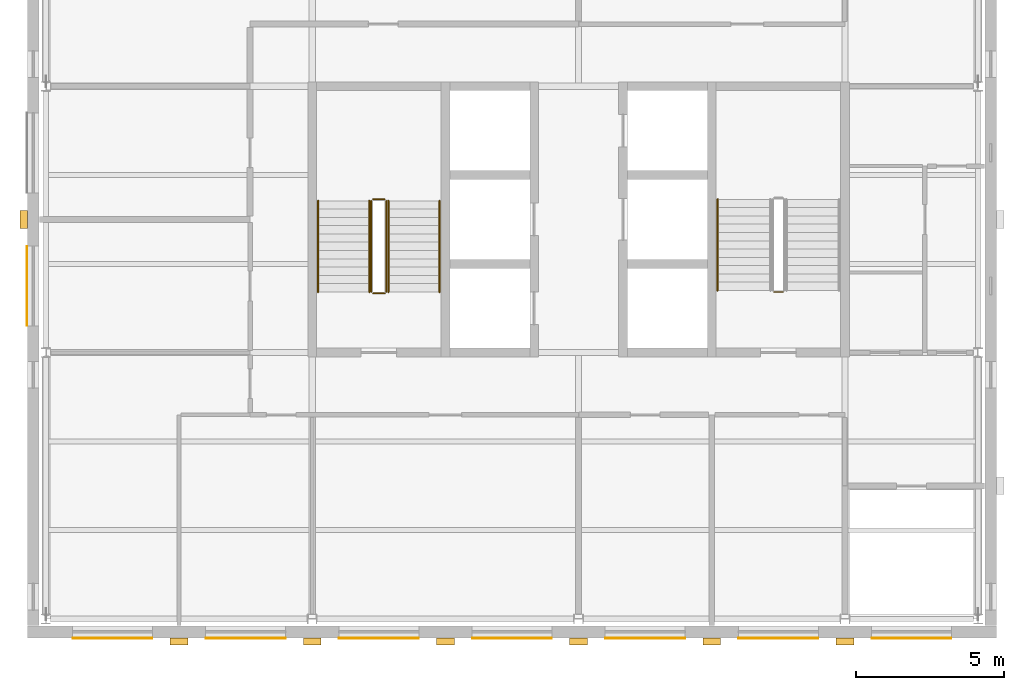
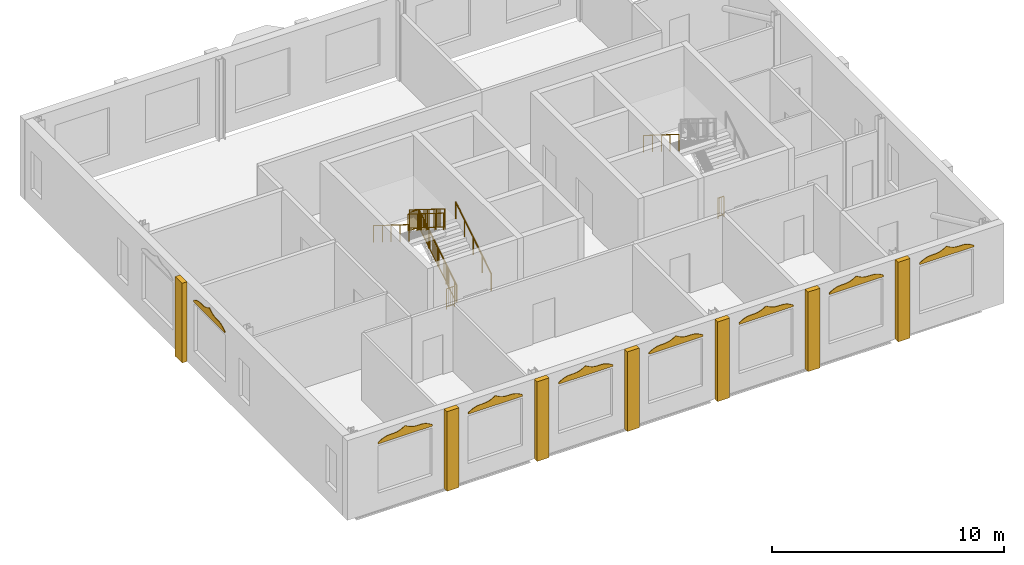
# One storey, part 8 of 9: 15 coverings, 10 railings.
"""IFC4 building model written with IfcOpenShell, lengths in metres."""

from ifc_helpers import new_model, si_unit, direction, frame, origin, origin_2d, place, context, subcontext, project, spatial, polyline, rectangle, circle, outline, extrude, material, layer, layer_set, type_object, element, save


model = new_model("IFC4")

# Units and contexts
model_context = context("Model", 3, precision=1e-05, world=origin(), true_north=direction((0.0, 1.0)))
body_context = subcontext(model_context, "Body", "Model", "MODEL_VIEW")
ifc_project = project(units=[si_unit("LENGTHUNIT", "METRE"), si_unit("AREAUNIT", "SQUARE_METRE"), si_unit("VOLUMEUNIT", "CUBIC_METRE"), si_unit("PLANEANGLEUNIT", "RADIAN"), si_unit("MASSUNIT", "GRAM", prefix="KILO")], contexts=[model_context])

# Site, building, storey
site_placement = place(None, origin())
site = spatial("IfcSite", under=ifc_project, at=site_placement, CompositionType="ELEMENT")
building_placement = place(site_placement, origin())
building = spatial("IfcBuilding", under=site, at=building_placement, Name="Hortulan Conservatory and Botanical Research Centre", CompositionType="ELEMENT")
storey_placement = place(building_placement, frame((0.0, 0.0, 44.39990234375)))
storey = spatial("IfcBuildingStorey", under=building, at=storey_placement, Name="L10", CompositionType="ELEMENT", Elevation=44.39990234375)

# Coverings
ifc_material_1 = material(Name="Faience cladding, cream glaze (non-combustible)", Category="ceramic")
ifc_layer_1 = layer(ifc_material_1, 0.030029296875)
ifc_layer_set_1 = layer_set([ifc_layer_1], Name="Faience Ogee Head Panel Cream 2700x500")
covering_type_1 = type_object("IfcCoveringType", Name="Faience Ogee Head Panel Cream 2700x500", PredefinedType="CLADDING", material=ifc_layer_set_1)
for number, where, z_axis, x_axis, name in (
    (1, (3.60009765625, -0.65087890625, 3.52001953125), (0.0, 0.0, 1.0), (-1.0, 0.0, 0.0), "Ogee head panel"),
    (2, (26.10009765625, -0.65087890625, 3.52001953125), (0.0, 0.0, 1.0), (-1.0, 0.0, 0.0), "Ogee head panel"),
    (3, (30.60009765625, -0.65087890625, 3.52001953125), (0.0, 0.0, 1.0), (-1.0, 0.0, 0.0), "Ogee head panel"),
):
    element("IfcCovering", number, at=place(storey_placement, frame(where, z_axis=z_axis, x_axis=x_axis)), inside=storey, type_object=covering_type_1, Name=name, PredefinedType="CLADDING", context=body_context, shape_type="SweptSolid", body=[
        extrude(outline(polyline([(0.0, 0.0), (2.699951171875, 0.0), (2.699951171875, 0.080078125), (2.58740234375, 0.148681640625), (2.47509765625, 0.208251953125), (2.362548828125, 0.252197265625), (2.25, 0.2783203125), (2.137451171875, 0.28857421875), (2.02490234375, 0.2900390625), (1.91259765625, 0.29150390625), (1.800048828125, 0.3017578125), (1.6875, 0.327880859375), (1.574951171875, 0.371826171875), (1.46240234375, 0.431396484375), (1.35009765625, 0.5), (1.237548828125, 0.431396484375), (1.125, 0.371826171875), (1.012451171875, 0.327880859375), (0.89990234375, 0.3017578125), (0.78759765625, 0.29150390625), (0.675048828125, 0.2900390625), (0.5625, 0.28857421875), (0.449951171875, 0.2783203125), (0.33740234375, 0.252197265625), (0.22509765625, 0.208251953125), (0.112548828125, 0.148681640625), (0.0, 0.080078125), (0.0, 0.0)])), frame((0.0, 0.01513671875, 0.0), z_axis=(0.0, -1.0, 0.0), x_axis=(1.0, 0.0, 0.0)), (0.0, 0.0, 1.0), 0.030029296875),
    ])
ifc_material_2 = material(Name="Faience cladding, waratah crimson glaze (non-combustible)", Category="ceramic")
ifc_layer_2 = layer(ifc_material_2, 0.030029296875)
ifc_layer_set_2 = layer_set([ifc_layer_2], Name="Faience Ogee Head Panel Crimson 2700x500")
covering_type_2 = type_object("IfcCoveringType", Name="Faience Ogee Head Panel Crimson 2700x500", PredefinedType="CLADDING", material=ifc_layer_set_2)
for number, where, z_axis, x_axis, name in (
    (4, (8.10009765625, -0.65087890625, 3.52001953125), (0.0, 0.0, 1.0), (-1.0, 0.0, 0.0), "Ogee head panel"),
    (5, (12.60009765625, -0.65087890625, 3.52001953125), (0.0, 0.0, 1.0), (-1.0, 0.0, 0.0), "Ogee head panel"),
    (6, (-0.639892578125, 9.89990234375, 3.52001953125), (0.0, 0.0, 1.0), (0.0, 1.0, 0.0), "Ogee head panel"),
):
    element("IfcCovering", number, at=place(storey_placement, frame(where, z_axis=z_axis, x_axis=x_axis)), inside=storey, type_object=covering_type_2, Name=name, PredefinedType="CLADDING", context=body_context, shape_type="SweptSolid", body=[
        extrude(outline(polyline([(0.0, 0.0), (2.699951171875, 0.0), (2.699951171875, 0.080078125), (2.58740234375, 0.148681640625), (2.47509765625, 0.208251953125), (2.362548828125, 0.252197265625), (2.25, 0.2783203125), (2.137451171875, 0.28857421875), (2.02490234375, 0.2900390625), (1.91259765625, 0.29150390625), (1.800048828125, 0.3017578125), (1.6875, 0.327880859375), (1.574951171875, 0.371826171875), (1.46240234375, 0.431396484375), (1.35009765625, 0.5), (1.237548828125, 0.431396484375), (1.125, 0.371826171875), (1.012451171875, 0.327880859375), (0.89990234375, 0.3017578125), (0.78759765625, 0.29150390625), (0.675048828125, 0.2900390625), (0.5625, 0.28857421875), (0.449951171875, 0.2783203125), (0.33740234375, 0.252197265625), (0.22509765625, 0.208251953125), (0.112548828125, 0.148681640625), (0.0, 0.080078125), (0.0, 0.0)])), frame((0.0, 0.01513671875, 0.0), z_axis=(0.0, -1.0, 0.0), x_axis=(1.0, 0.0, 0.0)), (0.0, 0.0, 1.0), 0.030029296875),
    ])
ifc_material_3 = material(Name="Faience cladding, harbour teal glaze (non-combustible)", Category="ceramic")
ifc_layer_3 = layer(ifc_material_3, 0.030029296875)
ifc_layer_set_3 = layer_set([ifc_layer_3], Name="Faience Ogee Head Panel Teal 2700x500")
covering_type_3 = type_object("IfcCoveringType", Name="Faience Ogee Head Panel Teal 2700x500", PredefinedType="CLADDING", material=ifc_layer_set_3)
for number, where, z_axis, x_axis, name in (
    (7, (17.10009765625, -0.65087890625, 3.52001953125), (0.0, 0.0, 1.0), (-1.0, 0.0, 0.0), "Ogee head panel"),
    (8, (21.60009765625, -0.65087890625, 3.52001953125), (0.0, 0.0, 1.0), (-1.0, 0.0, 0.0), "Ogee head panel"),
):
    element("IfcCovering", number, at=place(storey_placement, frame(where, z_axis=z_axis, x_axis=x_axis)), inside=storey, type_object=covering_type_3, Name=name, PredefinedType="CLADDING", context=body_context, shape_type="SweptSolid", body=[
        extrude(outline(polyline([(0.0, 0.0), (2.699951171875, 0.0), (2.699951171875, 0.080078125), (2.58740234375, 0.148681640625), (2.47509765625, 0.208251953125), (2.362548828125, 0.252197265625), (2.25, 0.2783203125), (2.137451171875, 0.28857421875), (2.02490234375, 0.2900390625), (1.91259765625, 0.29150390625), (1.800048828125, 0.3017578125), (1.6875, 0.327880859375), (1.574951171875, 0.371826171875), (1.46240234375, 0.431396484375), (1.35009765625, 0.5), (1.237548828125, 0.431396484375), (1.125, 0.371826171875), (1.012451171875, 0.327880859375), (0.89990234375, 0.3017578125), (0.78759765625, 0.29150390625), (0.675048828125, 0.2900390625), (0.5625, 0.28857421875), (0.449951171875, 0.2783203125), (0.33740234375, 0.252197265625), (0.22509765625, 0.208251953125), (0.112548828125, 0.148681640625), (0.0, 0.080078125), (0.0, 0.0)])), frame((0.0, 0.01513671875, 0.0), z_axis=(0.0, -1.0, 0.0), x_axis=(1.0, 0.0, 0.0)), (0.0, 0.0, 1.0), 0.030029296875),
    ])
ifc_layer_4 = layer(ifc_material_1, 0.25)
ifc_layer_set_4 = layer_set([ifc_layer_4], Name="Faience Pilaster 600x250")
covering_type_4 = type_object("IfcCoveringType", Name="Faience Pilaster 600x250", PredefinedType="CLADDING", material=ifc_layer_set_4)
for number, where, z_axis, x_axis, name in (
    (9, (27.0, -0.760986328125, 0.0), (0.0, 0.0, 1.0), (-1.0, 0.0, 0.0), "Pier"),
    (10, (22.5, -0.760986328125, 0.0), (0.0, 0.0, 1.0), (-1.0, 0.0, 0.0), "Pier"),
    (11, (18.0, -0.760986328125, 0.0), (0.0, 0.0, 1.0), (-1.0, 0.0, 0.0), "Pier"),
    (12, (13.5, -0.760986328125, 0.0), (0.0, 0.0, 1.0), (-1.0, 0.0, 0.0), "Pier"),
    (13, (9.0, -0.760986328125, 0.0), (0.0, 0.0, 1.0), (-1.0, 0.0, 0.0), "Pier"),
    (14, (4.5, -0.760986328125, 0.0), (0.0, 0.0, 1.0), (-1.0, 0.0, 0.0), "Pier"),
    (15, (-0.75, 13.5, 0.0), (0.0, 0.0, 1.0), (0.0, 1.0, 0.0), "Pier"),
):
    element("IfcCovering", number, at=place(storey_placement, frame(where, z_axis=z_axis, x_axis=x_axis)), inside=storey, type_object=covering_type_4, Name=name, PredefinedType="CLADDING", context=body_context, shape_type="SweptSolid", body=[
        extrude(rectangle(XDim=0.60009765625, YDim=0.25, at=origin_2d()), origin(), (0.0, 0.0, 1.0), 4.199951171875),
    ])

# Railings
ifc_material_4 = material(Name="Steel balustrade, bronze-charcoal paint", Category="steel")
railing_type_1 = type_object("IfcRailingType", Name="Stair Guard 1100", PredefinedType="GUARDRAIL", material=ifc_material_4)
railing_1_placement = place(storey_placement, frame((11.5, 11.050048828125, 0.175048828125)))
element("IfcRailing", 16, at=railing_1_placement, inside=storey, type_object=railing_type_1, Name="Guard T1 L10 stair 1", PredefinedType="GUARDRAIL", context=body_context, shape_type="SweptSolid", body=[
    extrude(circle(Radius=0.02392578125, at=origin_2d()), frame((0.0, 0.0, 1.076171875), z_axis=(0.0, 0.847979421464, 0.530029150871), x_axis=(-1.0, 0.0, 0.0)), (0.0, 0.0, 1.0), 3.632080078125),
    extrude(circle(Radius=0.02392578125, at=origin_2d()), frame((0.0, 0.0, 0.1240234375), z_axis=(0.0, 0.847979421464, 0.530029150871), x_axis=(-1.0, 0.0, 0.0)), (0.0, 0.0, 1.0), 3.632080078125),
    extrude(circle(Radius=0.008056640625, at=origin_2d()), frame((0.0, 0.090576171875, 0.204833984375)), (0.0, 0.0, 1.0), 0.90380859375),
    extrude(circle(Radius=0.008056640625, at=origin_2d()), frame((0.0, 0.18115234375, 0.261474609375)), (0.0, 0.0, 1.0), 0.90380859375),
    extrude(circle(Radius=0.008056640625, at=origin_2d()), frame((0.0, 0.271728515625, 0.318115234375)), (0.0, 0.0, 1.0), 0.90380859375),
    extrude(circle(Radius=0.008056640625, at=origin_2d()), frame((0.0, 0.3623046875, 0.374755859375)), (0.0, 0.0, 1.0), 0.90380859375),
    extrude(circle(Radius=0.008056640625, at=origin_2d()), frame((0.0, 0.452880859375, 0.431396484375)), (0.0, 0.0, 1.0), 0.90380859375),
    extrude(circle(Radius=0.008056640625, at=origin_2d()), frame((0.0, 0.54345703125, 0.48779296875)), (0.0, 0.0, 1.0), 0.90380859375),
    extrude(circle(Radius=0.008056640625, at=origin_2d()), frame((0.0, 0.634033203125, 0.54443359375)), (0.0, 0.0, 1.0), 0.90380859375),
    extrude(circle(Radius=0.008056640625, at=origin_2d()), frame((0.0, 0.724609375, 0.60107421875)), (0.0, 0.0, 1.0), 0.90380859375),
    extrude(circle(Radius=0.008056640625, at=origin_2d()), frame((0.0, 0.815185546875, 0.65771484375)), (0.0, 0.0, 1.0), 0.90380859375),
    extrude(circle(Radius=0.008056640625, at=origin_2d()), frame((0.0, 0.90576171875, 0.71435546875)), (0.0, 0.0, 1.0), 0.90380859375),
    extrude(circle(Radius=0.008056640625, at=origin_2d()), frame((0.0, 0.996337890625, 0.77099609375)), (0.0, 0.0, 1.0), 0.90380859375),
    extrude(circle(Radius=0.008056640625, at=origin_2d()), frame((0.0, 1.0869140625, 0.82763671875)), (0.0, 0.0, 1.0), 0.90380859375),
    extrude(circle(Radius=0.008056640625, at=origin_2d()), frame((0.0, 1.177490234375, 0.88427734375)), (0.0, 0.0, 1.0), 0.90380859375),
    extrude(circle(Radius=0.008056640625, at=origin_2d()), frame((0.0, 1.26806640625, 0.94091796875)), (0.0, 0.0, 1.0), 0.90380859375),
    extrude(circle(Radius=0.008056640625, at=origin_2d()), frame((0.0, 1.358642578125, 0.99755859375)), (0.0, 0.0, 1.0), 0.90380859375),
    extrude(circle(Radius=0.008056640625, at=origin_2d()), frame((0.0, 1.44921875, 1.05419921875)), (0.0, 0.0, 1.0), 0.90380859375),
    extrude(circle(Radius=0.008056640625, at=origin_2d()), frame((0.0, 1.5400390625, 1.11083984375)), (0.0, 0.0, 1.0), 0.90380859375),
    extrude(circle(Radius=0.008056640625, at=origin_2d()), frame((0.0, 1.630615234375, 1.167236328125)), (0.0, 0.0, 1.0), 0.90380859375),
    extrude(circle(Radius=0.008056640625, at=origin_2d()), frame((0.0, 1.72119140625, 1.223876953125)), (0.0, 0.0, 1.0), 0.90380859375),
    extrude(circle(Radius=0.008056640625, at=origin_2d()), frame((0.0, 1.811767578125, 1.280517578125)), (0.0, 0.0, 1.0), 0.90380859375),
    extrude(circle(Radius=0.008056640625, at=origin_2d()), frame((0.0, 1.90234375, 1.337158203125)), (0.0, 0.0, 1.0), 0.90380859375),
    extrude(circle(Radius=0.008056640625, at=origin_2d()), frame((0.0, 1.992919921875, 1.393798828125)), (0.0, 0.0, 1.0), 0.90380859375),
    extrude(circle(Radius=0.008056640625, at=origin_2d()), frame((0.0, 2.08349609375, 1.450439453125)), (0.0, 0.0, 1.0), 0.90380859375),
    extrude(circle(Radius=0.008056640625, at=origin_2d()), frame((0.0, 2.174072265625, 1.507080078125)), (0.0, 0.0, 1.0), 0.90380859375),
    extrude(circle(Radius=0.008056640625, at=origin_2d()), frame((0.0, 2.2646484375, 1.563720703125)), (0.0, 0.0, 1.0), 0.90380859375),
    extrude(circle(Radius=0.008056640625, at=origin_2d()), frame((0.0, 2.355224609375, 1.620361328125)), (0.0, 0.0, 1.0), 0.90380859375),
    extrude(circle(Radius=0.008056640625, at=origin_2d()), frame((0.0, 2.44580078125, 1.677001953125)), (0.0, 0.0, 1.0), 0.90380859375),
    extrude(circle(Radius=0.008056640625, at=origin_2d()), frame((0.0, 2.536376953125, 1.733642578125)), (0.0, 0.0, 1.0), 0.90380859375),
    extrude(circle(Radius=0.008056640625, at=origin_2d()), frame((0.0, 2.626953125, 1.7900390625)), (0.0, 0.0, 1.0), 0.90380859375),
    extrude(circle(Radius=0.008056640625, at=origin_2d()), frame((0.0, 2.717529296875, 1.8466796875)), (0.0, 0.0, 1.0), 0.90380859375),
    extrude(circle(Radius=0.008056640625, at=origin_2d()), frame((0.0, 2.80810546875, 1.9033203125)), (0.0, 0.0, 1.0), 0.90380859375),
    extrude(circle(Radius=0.008056640625, at=origin_2d()), frame((0.0, 2.898681640625, 1.9599609375)), (0.0, 0.0, 1.0), 0.90380859375),
    extrude(circle(Radius=0.008056640625, at=origin_2d()), frame((0.0, 2.9892578125, 2.0166015625)), (0.0, 0.0, 1.0), 0.90380859375),
    extrude(circle(Radius=0.02099609375, at=origin_2d()), origin(), (0.0, 0.0, 1.0), 1.052001953125),
    extrude(circle(Radius=0.02099609375, at=origin_2d()), frame((0.0, 0.77001953125, 0.481201171875)), (0.0, 0.0, 1.0), 1.052001953125),
    extrude(circle(Radius=0.02099609375, at=origin_2d()), frame((0.0, 1.5400390625, 0.96240234375)), (0.0, 0.0, 1.0), 1.052001953125),
    extrude(circle(Radius=0.02099609375, at=origin_2d()), frame((0.0, 2.309814453125, 1.44384765625)), (0.0, 0.0, 1.0), 1.052001953125),
    extrude(circle(Radius=0.02099609375, at=origin_2d()), frame((0.0, 3.079833984375, 1.925048828125)), (0.0, 0.0, 1.0), 1.052001953125),
])
railing_2_placement = place(storey_placement, frame((11.449951171875, 14.179931640625, 2.10009765625)))
element("IfcRailing", 17, at=railing_2_placement, inside=storey, type_object=railing_type_1, Name="Guard T1 L10 stair 2", PredefinedType="GUARDRAIL", context=body_context, shape_type="SweptSolid", body=[
    extrude(circle(Radius=0.02392578125, at=origin_2d()), frame((0.0, 0.0, 1.076171875), z_axis=(-1.0, 0.0, 0.0), x_axis=(0.0, -1.0, 0.0)), (0.0, 0.0, 1.0), 0.39990234375),
    extrude(circle(Radius=0.02392578125, at=origin_2d()), frame((0.0, 0.0, 0.1240234375), z_axis=(-1.0, 0.0, 0.0), x_axis=(0.0, -1.0, 0.0)), (0.0, 0.0, 1.0), 0.39990234375),
    extrude(circle(Radius=0.008056640625, at=origin_2d()), frame((-0.10009765625, 0.0, 0.148193359375)), (0.0, 0.0, 1.0), 0.90380859375),
    extrude(circle(Radius=0.008056640625, at=origin_2d()), frame((-0.199951171875, 0.0, 0.148193359375)), (0.0, 0.0, 1.0), 0.90380859375),
    extrude(circle(Radius=0.008056640625, at=origin_2d()), frame((-0.2998046875, 0.0, 0.148193359375)), (0.0, 0.0, 1.0), 0.90380859375),
    extrude(circle(Radius=0.02099609375, at=origin_2d()), origin(), (0.0, 0.0, 1.0), 1.052001953125),
    extrude(circle(Radius=0.02099609375, at=origin_2d()), frame((-0.39990234375, 0.0, 0.0)), (0.0, 0.0, 1.0), 1.052001953125),
])
railing_3_placement = place(storey_placement, frame((11.0, 14.1298828125, 2.275146484375)))
element("IfcRailing", 18, at=railing_3_placement, inside=storey, type_object=railing_type_1, Name="Guard T1 L10 stair 3", PredefinedType="GUARDRAIL", context=body_context, shape_type="SweptSolid", body=[
    extrude(circle(Radius=0.02392578125, at=origin_2d()), frame((0.0, 0.0, 1.076171875), z_axis=(0.0, -0.847979421464, 0.530029150871), x_axis=(1.0, 0.0, 0.0)), (0.0, 0.0, 1.0), 3.632080078125),
    extrude(circle(Radius=0.02392578125, at=origin_2d()), frame((0.0, 0.0, 0.1240234375), z_axis=(0.0, -0.847979421464, 0.530029150871), x_axis=(1.0, 0.0, 0.0)), (0.0, 0.0, 1.0), 3.632080078125),
    extrude(circle(Radius=0.008056640625, at=origin_2d()), frame((0.0, -0.090576171875, 0.204833984375)), (0.0, 0.0, 1.0), 0.90380859375),
    extrude(circle(Radius=0.008056640625, at=origin_2d()), frame((0.0, -0.18115234375, 0.261474609375)), (0.0, 0.0, 1.0), 0.90380859375),
    extrude(circle(Radius=0.008056640625, at=origin_2d()), frame((0.0, -0.271728515625, 0.318115234375)), (0.0, 0.0, 1.0), 0.90380859375),
    extrude(circle(Radius=0.008056640625, at=origin_2d()), frame((0.0, -0.3623046875, 0.374755859375)), (0.0, 0.0, 1.0), 0.90380859375),
    extrude(circle(Radius=0.008056640625, at=origin_2d()), frame((0.0, -0.452880859375, 0.431396484375)), (0.0, 0.0, 1.0), 0.90380859375),
    extrude(circle(Radius=0.008056640625, at=origin_2d()), frame((0.0, -0.54345703125, 0.48779296875)), (0.0, 0.0, 1.0), 0.90380859375),
    extrude(circle(Radius=0.008056640625, at=origin_2d()), frame((0.0, -0.634033203125, 0.54443359375)), (0.0, 0.0, 1.0), 0.90380859375),
    extrude(circle(Radius=0.008056640625, at=origin_2d()), frame((0.0, -0.724609375, 0.60107421875)), (0.0, 0.0, 1.0), 0.90380859375),
    extrude(circle(Radius=0.008056640625, at=origin_2d()), frame((0.0, -0.815185546875, 0.65771484375)), (0.0, 0.0, 1.0), 0.90380859375),
    extrude(circle(Radius=0.008056640625, at=origin_2d()), frame((0.0, -0.90576171875, 0.71435546875)), (0.0, 0.0, 1.0), 0.90380859375),
    extrude(circle(Radius=0.008056640625, at=origin_2d()), frame((0.0, -0.996337890625, 0.77099609375)), (0.0, 0.0, 1.0), 0.90380859375),
    extrude(circle(Radius=0.008056640625, at=origin_2d()), frame((0.0, -1.0869140625, 0.82763671875)), (0.0, 0.0, 1.0), 0.90380859375),
    extrude(circle(Radius=0.008056640625, at=origin_2d()), frame((0.0, -1.177490234375, 0.88427734375)), (0.0, 0.0, 1.0), 0.90380859375),
    extrude(circle(Radius=0.008056640625, at=origin_2d()), frame((0.0, -1.26806640625, 0.94091796875)), (0.0, 0.0, 1.0), 0.90380859375),
    extrude(circle(Radius=0.008056640625, at=origin_2d()), frame((0.0, -1.358642578125, 0.99755859375)), (0.0, 0.0, 1.0), 0.90380859375),
    extrude(circle(Radius=0.008056640625, at=origin_2d()), frame((0.0, -1.44921875, 1.05419921875)), (0.0, 0.0, 1.0), 0.90380859375),
    extrude(circle(Radius=0.008056640625, at=origin_2d()), frame((0.0, -1.5400390625, 1.11083984375)), (0.0, 0.0, 1.0), 0.90380859375),
    extrude(circle(Radius=0.008056640625, at=origin_2d()), frame((0.0, -1.630615234375, 1.167236328125)), (0.0, 0.0, 1.0), 0.90380859375),
    extrude(circle(Radius=0.008056640625, at=origin_2d()), frame((0.0, -1.72119140625, 1.223876953125)), (0.0, 0.0, 1.0), 0.90380859375),
    extrude(circle(Radius=0.008056640625, at=origin_2d()), frame((0.0, -1.811767578125, 1.280517578125)), (0.0, 0.0, 1.0), 0.90380859375),
    extrude(circle(Radius=0.008056640625, at=origin_2d()), frame((0.0, -1.90234375, 1.337158203125)), (0.0, 0.0, 1.0), 0.90380859375),
    extrude(circle(Radius=0.008056640625, at=origin_2d()), frame((0.0, -1.992919921875, 1.393798828125)), (0.0, 0.0, 1.0), 0.90380859375),
    extrude(circle(Radius=0.008056640625, at=origin_2d()), frame((0.0, -2.08349609375, 1.450439453125)), (0.0, 0.0, 1.0), 0.90380859375),
    extrude(circle(Radius=0.008056640625, at=origin_2d()), frame((0.0, -2.174072265625, 1.507080078125)), (0.0, 0.0, 1.0), 0.90380859375),
    extrude(circle(Radius=0.008056640625, at=origin_2d()), frame((0.0, -2.2646484375, 1.563720703125)), (0.0, 0.0, 1.0), 0.90380859375),
    extrude(circle(Radius=0.008056640625, at=origin_2d()), frame((0.0, -2.355224609375, 1.620361328125)), (0.0, 0.0, 1.0), 0.90380859375),
    extrude(circle(Radius=0.008056640625, at=origin_2d()), frame((0.0, -2.44580078125, 1.677001953125)), (0.0, 0.0, 1.0), 0.90380859375),
    extrude(circle(Radius=0.008056640625, at=origin_2d()), frame((0.0, -2.536376953125, 1.733642578125)), (0.0, 0.0, 1.0), 0.90380859375),
    extrude(circle(Radius=0.008056640625, at=origin_2d()), frame((0.0, -2.626953125, 1.7900390625)), (0.0, 0.0, 1.0), 0.90380859375),
    extrude(circle(Radius=0.008056640625, at=origin_2d()), frame((0.0, -2.717529296875, 1.8466796875)), (0.0, 0.0, 1.0), 0.90380859375),
    extrude(circle(Radius=0.008056640625, at=origin_2d()), frame((0.0, -2.80810546875, 1.9033203125)), (0.0, 0.0, 1.0), 0.90380859375),
    extrude(circle(Radius=0.008056640625, at=origin_2d()), frame((0.0, -2.898681640625, 1.9599609375)), (0.0, 0.0, 1.0), 0.90380859375),
    extrude(circle(Radius=0.008056640625, at=origin_2d()), frame((0.0, -2.9892578125, 2.0166015625)), (0.0, 0.0, 1.0), 0.90380859375),
    extrude(circle(Radius=0.02099609375, at=origin_2d()), origin(), (0.0, 0.0, 1.0), 1.052001953125),
    extrude(circle(Radius=0.02099609375, at=origin_2d()), frame((0.0, -0.77001953125, 0.481201171875)), (0.0, 0.0, 1.0), 1.052001953125),
    extrude(circle(Radius=0.02099609375, at=origin_2d()), frame((0.0, -1.5400390625, 0.96240234375)), (0.0, 0.0, 1.0), 1.052001953125),
    extrude(circle(Radius=0.02099609375, at=origin_2d()), frame((0.0, -2.309814453125, 1.44384765625)), (0.0, 0.0, 1.0), 1.052001953125),
    extrude(circle(Radius=0.02099609375, at=origin_2d()), frame((0.0, -3.079833984375, 1.925048828125)), (0.0, 0.0, 1.0), 1.052001953125),
])
railing_4_placement = place(storey_placement, frame((11.449951171875, 11.0, 0.0)))
element("IfcRailing", 19, at=railing_4_placement, inside=storey, type_object=railing_type_1, Name="Guard T1 L10 stair 4", PredefinedType="GUARDRAIL", context=body_context, shape_type="SweptSolid", body=[
    extrude(circle(Radius=0.02392578125, at=origin_2d()), frame((0.0, 0.0, 1.076171875), z_axis=(-1.0, 0.0, 0.0), x_axis=(0.0, -1.0, 0.0)), (0.0, 0.0, 1.0), 0.39990234375),
    extrude(circle(Radius=0.02392578125, at=origin_2d()), frame((0.0, 0.0, 0.1240234375), z_axis=(-1.0, 0.0, 0.0), x_axis=(0.0, -1.0, 0.0)), (0.0, 0.0, 1.0), 0.39990234375),
    extrude(circle(Radius=0.008056640625, at=origin_2d()), frame((-0.10009765625, 0.0, 0.148193359375)), (0.0, 0.0, 1.0), 0.90380859375),
    extrude(circle(Radius=0.008056640625, at=origin_2d()), frame((-0.199951171875, 0.0, 0.148193359375)), (0.0, 0.0, 1.0), 0.90380859375),
    extrude(circle(Radius=0.008056640625, at=origin_2d()), frame((-0.2998046875, 0.0, 0.148193359375)), (0.0, 0.0, 1.0), 0.90380859375),
    extrude(circle(Radius=0.02099609375, at=origin_2d()), origin(), (0.0, 0.0, 1.0), 1.052001953125),
    extrude(circle(Radius=0.02099609375, at=origin_2d()), frame((-0.39990234375, 0.0, 0.0)), (0.0, 0.0, 1.0), 1.052001953125),
])
railing_5_placement = place(storey_placement, frame((24.89990234375, 11.050048828125, 0.0)))
element("IfcRailing", 20, at=railing_5_placement, inside=storey, type_object=railing_type_1, Name="Guard T2 L10 stair 4", PredefinedType="GUARDRAIL", context=body_context, shape_type="SweptSolid", body=[
    extrude(circle(Radius=0.02392578125, at=origin_2d()), frame((0.0, 0.0, 1.076171875), z_axis=(-1.0, 0.0, 0.0), x_axis=(0.0, -1.0, 0.0)), (0.0, 0.0, 1.0), 0.2998046875),
    extrude(circle(Radius=0.02392578125, at=origin_2d()), frame((0.0, 0.0, 0.1240234375), z_axis=(-1.0, 0.0, 0.0), x_axis=(0.0, -1.0, 0.0)), (0.0, 0.0, 1.0), 0.2998046875),
    extrude(circle(Radius=0.008056640625, at=origin_2d()), frame((-0.099853515625, 0.0, 0.148193359375)), (0.0, 0.0, 1.0), 0.90380859375),
    extrude(circle(Radius=0.008056640625, at=origin_2d()), frame((-0.199951171875, 0.0, 0.148193359375)), (0.0, 0.0, 1.0), 0.90380859375),
    extrude(circle(Radius=0.02099609375, at=origin_2d()), origin(), (0.0, 0.0, 1.0), 1.052001953125),
    extrude(circle(Radius=0.02099609375, at=origin_2d()), frame((-0.2998046875, 0.0, 0.0)), (0.0, 0.0, 1.0), 1.052001953125),
])
ifc_material_5 = material(Name="Bronze handrail, polished", Category="metal")
railing_type_2 = type_object("IfcRailingType", Name="Stair Handrail 900", PredefinedType="HANDRAIL", material=ifc_material_5)
railing_6_placement = place(storey_placement, frame((13.300048828125, 11.050048828125, 0.175048828125)))
element("IfcRailing", 21, at=railing_6_placement, inside=storey, type_object=railing_type_2, Name="Handrail T1 L10 stair 1", PredefinedType="HANDRAIL", context=body_context, shape_type="SweptSolid", body=[
    extrude(circle(Radius=0.02392578125, at=origin_2d()), frame((0.0, 0.0, 0.8759765625), z_axis=(0.0, 0.847979421464, 0.530029150871), x_axis=(-1.0, 0.0, 0.0)), (0.0, 0.0, 1.0), 3.632080078125),
    extrude(circle(Radius=0.02099609375, at=origin_2d()), origin(), (0.0, 0.0, 1.0), 0.851806640625),
    extrude(circle(Radius=0.02099609375, at=origin_2d()), frame((0.0, 0.77001953125, 0.481201171875)), (0.0, 0.0, 1.0), 0.851806640625),
    extrude(circle(Radius=0.02099609375, at=origin_2d()), frame((0.0, 1.5400390625, 0.96240234375)), (0.0, 0.0, 1.0), 0.851806640625),
    extrude(circle(Radius=0.02099609375, at=origin_2d()), frame((0.0, 2.309814453125, 1.44384765625)), (0.0, 0.0, 1.0), 0.851806640625),
    extrude(circle(Radius=0.02099609375, at=origin_2d()), frame((0.0, 3.079833984375, 1.925048828125)), (0.0, 0.0, 1.0), 0.851806640625),
])
railing_7_placement = place(storey_placement, frame((9.199951171875, 14.1298828125, 2.275146484375)))
element("IfcRailing", 22, at=railing_7_placement, inside=storey, type_object=railing_type_2, Name="Handrail T1 L10 stair 2", PredefinedType="HANDRAIL", context=body_context, shape_type="SweptSolid", body=[
    extrude(circle(Radius=0.02392578125, at=origin_2d()), frame((0.0, 0.0, 0.8759765625), z_axis=(0.0, -0.847979421464, 0.530029150871), x_axis=(1.0, 0.0, 0.0)), (0.0, 0.0, 1.0), 3.632080078125),
    extrude(circle(Radius=0.02099609375, at=origin_2d()), origin(), (0.0, 0.0, 1.0), 0.851806640625),
    extrude(circle(Radius=0.02099609375, at=origin_2d()), frame((0.0, -0.77001953125, 0.481201171875)), (0.0, 0.0, 1.0), 0.851806640625),
    extrude(circle(Radius=0.02099609375, at=origin_2d()), frame((0.0, -1.5400390625, 0.96240234375)), (0.0, 0.0, 1.0), 0.851806640625),
    extrude(circle(Radius=0.02099609375, at=origin_2d()), frame((0.0, -2.309814453125, 1.44384765625)), (0.0, 0.0, 1.0), 0.851806640625),
    extrude(circle(Radius=0.02099609375, at=origin_2d()), frame((0.0, -3.079833984375, 1.925048828125)), (0.0, 0.0, 1.0), 0.851806640625),
])
railing_8_placement = place(storey_placement, frame((11.570068359375, 11.050048828125, 0.175048828125)))
element("IfcRailing", 23, at=railing_8_placement, inside=storey, type_object=railing_type_2, Name="Handrail T1 L10 stair 3", PredefinedType="HANDRAIL", context=body_context, shape_type="SweptSolid", body=[
    extrude(circle(Radius=0.02392578125, at=origin_2d()), frame((0.0, 0.0, 0.8759765625), z_axis=(0.0, 0.847979421464, 0.530029150871), x_axis=(-1.0, 0.0, 0.0)), (0.0, 0.0, 1.0), 3.632080078125),
    extrude(circle(Radius=0.02099609375, at=origin_2d()), origin(), (0.0, 0.0, 1.0), 0.851806640625),
    extrude(circle(Radius=0.02099609375, at=origin_2d()), frame((0.0, 0.77001953125, 0.481201171875)), (0.0, 0.0, 1.0), 0.851806640625),
    extrude(circle(Radius=0.02099609375, at=origin_2d()), frame((0.0, 1.5400390625, 0.96240234375)), (0.0, 0.0, 1.0), 0.851806640625),
    extrude(circle(Radius=0.02099609375, at=origin_2d()), frame((0.0, 2.309814453125, 1.44384765625)), (0.0, 0.0, 1.0), 0.851806640625),
    extrude(circle(Radius=0.02099609375, at=origin_2d()), frame((0.0, 3.079833984375, 1.925048828125)), (0.0, 0.0, 1.0), 0.851806640625),
])
for number, where, name in (
    (24, (10.929931640625, 14.1298828125, 2.275146484375), "Handrail T1 L10 stair 4"),
    (25, (22.699951171875, 14.179931640625, 2.275146484375), "Handrail T2 L10 stair 2"),
):
    element("IfcRailing", number, at=place(storey_placement, frame(where)), inside=storey, type_object=railing_type_2, Name=name, PredefinedType="HANDRAIL", context=body_context, shape_type="SweptSolid", body=[
        extrude(circle(Radius=0.02392578125, at=origin_2d()), frame((0.0, 0.0, 0.8759765625), z_axis=(0.0, -0.847979421464, 0.530029150871), x_axis=(1.0, 0.0, 0.0)), (0.0, 0.0, 1.0), 3.632080078125),
        extrude(circle(Radius=0.02099609375, at=origin_2d()), origin(), (0.0, 0.0, 1.0), 0.851806640625),
        extrude(circle(Radius=0.02099609375, at=origin_2d()), frame((0.0, -0.77001953125, 0.481201171875)), (0.0, 0.0, 1.0), 0.851806640625),
        extrude(circle(Radius=0.02099609375, at=origin_2d()), frame((0.0, -1.5400390625, 0.96240234375)), (0.0, 0.0, 1.0), 0.851806640625),
        extrude(circle(Radius=0.02099609375, at=origin_2d()), frame((0.0, -2.309814453125, 1.44384765625)), (0.0, 0.0, 1.0), 0.851806640625),
        extrude(circle(Radius=0.02099609375, at=origin_2d()), frame((0.0, -3.079833984375, 1.925048828125)), (0.0, 0.0, 1.0), 0.851806640625),
    ])

save(model, "model.ifc")
